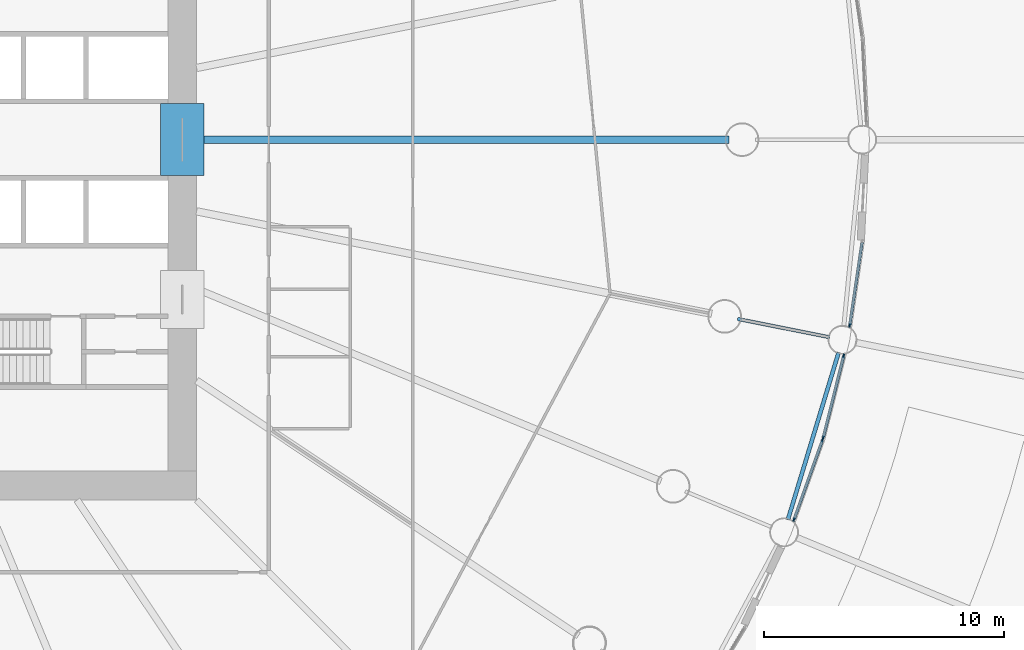
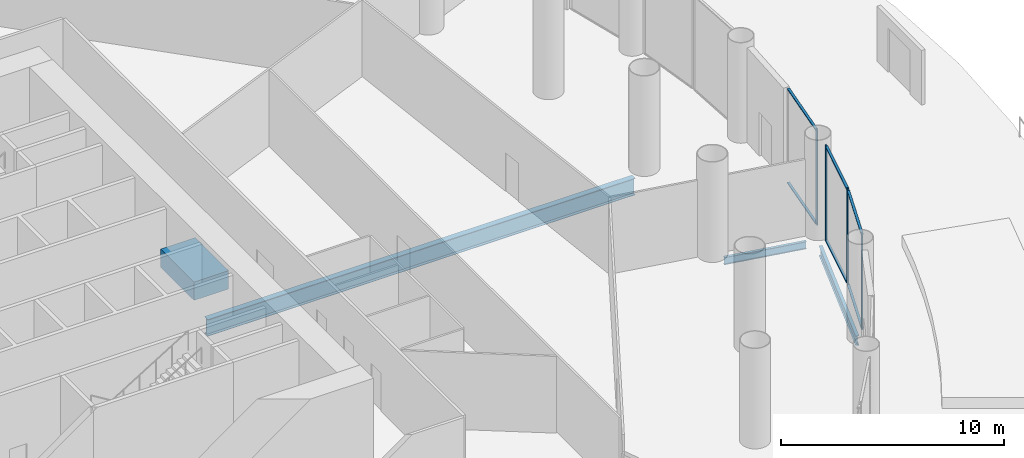
# One storey, part 14 of 36: 11 members, 4 beams, 3 elements without a shape of their own.
"""IFC4 building model written with IfcOpenShell, lengths in metres."""

from ifc_helpers import new_model, si_unit, direction, frame, origin, origin_2d, place, context, subcontext, project, spatial, rectangle, i_section, extrude, material, material_profile, profile_set, type_object, element, aggregate, save


model = new_model("IFC4")

# Units and contexts
model_context = context("Model", 3, precision=1e-05, world=origin(), true_north=direction((0.0, 1.0)))
body_context = subcontext(model_context, "Body", "Model", "MODEL_VIEW")
ifc_project = project(units=[si_unit("LENGTHUNIT", "METRE"), si_unit("AREAUNIT", "SQUARE_METRE"), si_unit("VOLUMEUNIT", "CUBIC_METRE"), si_unit("PLANEANGLEUNIT", "RADIAN"), si_unit("MASSUNIT", "GRAM", prefix="KILO")], contexts=[model_context])

# Site, building, storey
site_placement = place(None, origin())
site = spatial("IfcSite", under=ifc_project, at=site_placement, CompositionType="ELEMENT")
building_placement = place(site_placement, origin())
building = spatial("IfcBuilding", under=site, at=building_placement, Name="Corvane Civic Tower", CompositionType="ELEMENT")
storey_placement = place(building_placement, frame((0.0, 0.0, 6.0)))
storey = spatial("IfcBuildingStorey", under=building, at=storey_placement, Name="L01", CompositionType="ELEMENT", Elevation=6.0)

# Beams
ifc_material_1 = material(Name="Concrete C80/95", Category="concrete")
ifc_material_profile_1 = material_profile(ifc_material_1, rectangle(XDim=1.800048828125, YDim=1.0, at=origin_2d()), Name="COUPLING BEAM 1800X1000")
ifc_profile_set_1 = profile_set([ifc_material_profile_1], Name="Concrete C80/95")
beam_type_1 = type_object("IfcBeamType", Name="COUPLING BEAM COUPLING BEAM 1800X1000", PredefinedType="BEAM", material=ifc_profile_set_1)
beam_1_placement = place(storey_placement, frame((14.39990234375, -1.5, 2.60009765625), z_axis=(0.0, 1.0, 0.0), x_axis=(-1.0, 0.0, 0.0)))
element("IfcBeam", 1, at=beam_1_placement, inside=storey, type_object=beam_type_1, Name="BM-L01-cpl-CW-LE", PredefinedType="BEAM", context=body_context, shape_type="SweptSolid", body=[
    extrude(rectangle(XDim=1.800048828125, YDim=1.0, at=origin_2d()), origin(), (0.0, 0.0, 1.0), 3.0),
])
ifc_material_2 = material(Name="Steel ASTM A992 Gr 50", Category="steel")
ifc_material_profile_2 = material_profile(ifc_material_2, i_section(OverallWidth=0.165771484375, OverallDepth=0.5283203125, WebThickness=0.009765625, FlangeThickness=0.013671875, at=origin_2d()), Name="W21X50")
ifc_profile_set_2 = profile_set([ifc_material_profile_2], Name="Steel ASTM A992 Gr 50")
beam_type_2 = type_object("IfcBeamType", Name="EDGE BEAM W21X50", PredefinedType="BEAM", material=ifc_profile_set_2)
beam_2_placement = place(storey_placement, frame((41.719970703125, -8.856689453125, -0.564208984375), z_axis=(-0.290291633127, -0.956938225664, 0.0), x_axis=(0.956938225664, -0.290291633127, 0.0)))
element("IfcBeam", 2, at=beam_2_placement, inside=storey, type_object=beam_type_2, Name="BM-L01-E10", PredefinedType="BEAM", context=body_context, shape_type="SweptSolid", body=[
    extrude(i_section(OverallWidth=0.165771484375, OverallDepth=0.5283203125, WebThickness=0.009765625, FlangeThickness=0.013671875, at=origin_2d()), origin(), (0.0, 0.0, 1.0), 7.2705078125),
])
ifc_material_3 = material(Name="Steel ASTM A992 Gr 50", Category="steel")
ifc_material_profile_3 = material_profile(ifc_material_3, i_section(OverallWidth=0.140380859375, OverallDepth=0.40380859375, WebThickness=0.007080078125, FlangeThickness=0.01123046875, at=origin_2d()), Name="W16X31")
ifc_profile_set_3 = profile_set([ifc_material_profile_3], Name="Steel ASTM A992 Gr 50")
beam_type_3 = type_object("IfcBeamType", Name="FLOOR GIRDER W16X31", PredefinedType="BEAM", material=ifc_profile_set_3)
beam_3_placement = place(storey_placement, frame((37.51513671875, -7.462158203125, -0.501953125), z_axis=(0.980777614264, -0.195128858343, 0.0), x_axis=(0.195128858343, 0.980777614264, 0.0)))
element("IfcBeam", 3, at=beam_3_placement, inside=storey, type_object=beam_type_3, Name="BM-L01-G10b", PredefinedType="BEAM", context=body_context, shape_type="SweptSolid", body=[
    extrude(i_section(OverallWidth=0.140380859375, OverallDepth=0.40380859375, WebThickness=0.007080078125, FlangeThickness=0.01123046875, at=origin_2d()), origin(), (0.0, 0.0, 1.0), 3.89990234375),
])
ifc_material_4 = material(Name="Steel ASTM A992 Gr 50", Category="steel")
ifc_material_profile_4 = material_profile(ifc_material_4, i_section(OverallWidth=0.3046875, OverallDepth=0.911865234375, WebThickness=0.015869140625, FlangeThickness=0.02392578125, at=origin_2d()), Name="W36X150")
ifc_profile_set_4 = profile_set([ifc_material_profile_4], Name="Steel ASTM A992 Gr 50")
beam_type_4 = type_object("IfcBeamType", Name="FLOOR GIRDER W36X150", PredefinedType="BEAM", material=ifc_profile_set_4)
beam_4_placement = place(storey_placement, frame((15.0, 0.0, -0.755859375), z_axis=(1.0, 0.0, 0.0), x_axis=(0.0, 1.0, 0.0)))
element("IfcBeam", 4, at=beam_4_placement, inside=storey, type_object=beam_type_4, Name="BM-L01-G09", PredefinedType="BEAM", context=body_context, shape_type="SweptSolid", body=[
    extrude(i_section(OverallWidth=0.3046875, OverallDepth=0.911865234375, WebThickness=0.015869140625, FlangeThickness=0.02392578125, at=origin_2d()), origin(), (0.0, 0.0, 1.0), 22.14990234375),
])

# Curtain wall, member
ifc_material_5 = material(Name="Aluminium and glass", Category="aluminium")
curtain_wall_type = type_object("IfcCurtainWallType", Name="PODIUM-CW-P-RUN", PredefinedType="NOTDEFINED", material=ifc_material_5)
curtain_wall_1_placement = place(storey_placement, origin())
curtain_wall_1 = element("IfcCurtainWall", 5, at=curtain_wall_1_placement, inside=storey, type_object=curtain_wall_type, Name="PODI run L01-drum-09B", PredefinedType="NOTDEFINED")
ifc_material_6 = material(Name="Anodised aluminium bronze", Category="aluminium")
ifc_material_profile_5 = material_profile(ifc_material_6, rectangle(XDim=0.06005859375, YDim=0.159912109375, at=origin_2d()), Name="AL 60x160")
ifc_profile_set_5 = profile_set([ifc_material_profile_5], Name="Anodised aluminium bronze")
member_type_1 = type_object("IfcMemberType", Name="PODIUM-CWP-MULLION-60x160", PredefinedType="MULLION", material=ifc_profile_set_5)
member_1_placement = place(storey_placement, frame((42.18017578125, -7.732666015625, 0.0), z_axis=(0.0, 0.0, 1.0), x_axis=(0.989178850608, -0.146714694252, 0.0)))
member_1 = element("IfcMember", 6, at=member_1_placement, type_object=member_type_1, Name="CW-P mullion 2", PredefinedType="MULLION", context=body_context, shape_type="SweptSolid", body=[
    extrude(rectangle(XDim=0.06005859375, YDim=0.159912109375, at=origin_2d()), origin(), (0.0, 0.0, 1.0), 5.199951171875),
])

# Curtain wall, members
curtain_wall_2_placement = place(storey_placement, origin())
curtain_wall_2 = element("IfcCurtainWall", 7, at=curtain_wall_2_placement, inside=storey, type_object=curtain_wall_type, Name="PODI run L01-drum-10A", PredefinedType="NOTDEFINED")
member_2_placement = place(storey_placement, frame((41.9287109375, -8.99755859375, 0.0), z_axis=(0.0, 0.0, 1.0), x_axis=(0.970024070659, -0.243008852393, 0.0)))
member_2 = element("IfcMember", 8, at=member_2_placement, type_object=member_type_1, Name="CW-P mullion 1", PredefinedType="MULLION", context=body_context, shape_type="SweptSolid", body=[
    extrude(rectangle(XDim=0.06005859375, YDim=0.159912109375, at=origin_2d()), origin(), (0.0, 0.0, 1.0), 5.199951171875),
])
member_3_placement = place(storey_placement, frame((41.0732421875, -12.411865234375, 0.0), z_axis=(0.0, 0.0, 1.0), x_axis=(0.970024070659, -0.243008852393, 0.0)))
member_3 = element("IfcMember", 9, at=member_3_placement, type_object=member_type_1, Name="CW-P mullion 2", PredefinedType="MULLION", context=body_context, shape_type="SweptSolid", body=[
    extrude(rectangle(XDim=0.06005859375, YDim=0.159912109375, at=origin_2d()), origin(), (0.0, 0.0, 1.0), 5.199951171875),
])

curtain_wall_3_placement = place(storey_placement, origin())
curtain_wall_3 = element("IfcCurtainWall", 10, at=curtain_wall_3_placement, inside=storey, type_object=curtain_wall_type, Name="PODI run L01-drum-10B", PredefinedType="NOTDEFINED")
member_4_placement = place(storey_placement, frame((41.046875, -12.4990234375, 0.0), z_axis=(0.0, 0.0, 1.0), x_axis=(0.941533802561, -0.336918534123, 0.0)))
member_4 = element("IfcMember", 11, at=member_4_placement, type_object=member_type_1, Name="CW-P mullion 1", PredefinedType="MULLION", context=body_context, shape_type="SweptSolid", body=[
    extrude(rectangle(XDim=0.06005859375, YDim=0.159912109375, at=origin_2d()), origin(), (0.0, 0.0, 1.0), 5.199951171875),
])
member_5_placement = place(storey_placement, frame((39.861083984375, -15.81298828125, 0.0), z_axis=(0.0, 0.0, 1.0), x_axis=(0.941533802561, -0.336918534123, 0.0)))
member_5 = element("IfcMember", 12, at=member_5_placement, type_object=member_type_1, Name="CW-P mullion 2", PredefinedType="MULLION", context=body_context, shape_type="SweptSolid", body=[
    extrude(rectangle(XDim=0.06005859375, YDim=0.159912109375, at=origin_2d()), origin(), (0.0, 0.0, 1.0), 5.199951171875),
])

# Member
ifc_material_7 = material(Name="Anodised aluminium bronze", Category="aluminium")
ifc_material_profile_6 = material_profile(ifc_material_7, rectangle(XDim=0.1201171875, YDim=0.06005859375, at=origin_2d()), Name="AL 120x60")
ifc_profile_set_6 = profile_set([ifc_material_profile_6], Name="Anodised aluminium bronze")
member_type_2 = type_object("IfcMemberType", Name="PODIUM-CWP-TRANSOM-60x120", PredefinedType="USERDEFINED", material=ifc_profile_set_6)
member_6_placement = place(storey_placement, frame((42.692138671875, -4.28076171875, 0.030029296875), z_axis=(-0.146704660039, -0.989180338828, 0.0), x_axis=(0.989180338828, -0.146704660039, 0.0)))
member_6 = element("IfcMember", 13, at=member_6_placement, type_object=member_type_2, Name="CW-P transom 1.1", ObjectType="TRANSOM", PredefinedType="USERDEFINED", context=body_context, shape_type="SweptSolid", body=[
    extrude(rectangle(XDim=0.1201171875, YDim=0.06005859375, at=origin_2d()), origin(), (0.0, 0.0, 1.0), 3.459716796875),
])

member_7_placement = place(storey_placement, frame((42.692138671875, -4.28076171875, 5.169921875), z_axis=(-0.146704660039, -0.989180338828, 0.0), x_axis=(0.989180338828, -0.146704660039, 0.0)))
member_7 = element("IfcMember", 14, at=member_7_placement, type_object=member_type_2, Name="CW-P transom 1.2", ObjectType="TRANSOM", PredefinedType="USERDEFINED", context=body_context, shape_type="SweptSolid", body=[
    extrude(rectangle(XDim=0.1201171875, YDim=0.06005859375, at=origin_2d()), origin(), (0.0, 0.0, 1.0), 3.459716796875),
])

aggregate(curtain_wall_1, [member_1, member_6, member_7])

member_8_placement = place(storey_placement, frame((41.92138671875, -9.026611328125, 0.030029296875), z_axis=(-0.243017080124, -0.970022009425, 0.0), x_axis=(0.970022009425, -0.243017080124, 0.0)))
member_8 = element("IfcMember", 15, at=member_8_placement, type_object=member_type_2, Name="CW-P transom 1.1", ObjectType="TRANSOM", PredefinedType="USERDEFINED", context=body_context, shape_type="SweptSolid", body=[
    extrude(rectangle(XDim=0.1201171875, YDim=0.06005859375, at=origin_2d()), origin(), (0.0, 0.0, 1.0), 3.4599609375),
])

member_9_placement = place(storey_placement, frame((41.92138671875, -9.026611328125, 5.169921875), z_axis=(-0.243017080124, -0.970022009425, 0.0), x_axis=(0.970022009425, -0.243017080124, 0.0)))
member_9 = element("IfcMember", 16, at=member_9_placement, type_object=member_type_2, Name="CW-P transom 1.2", ObjectType="TRANSOM", PredefinedType="USERDEFINED", context=body_context, shape_type="SweptSolid", body=[
    extrude(rectangle(XDim=0.1201171875, YDim=0.06005859375, at=origin_2d()), origin(), (0.0, 0.0, 1.0), 3.4599609375),
])

aggregate(curtain_wall_2, [member_2, member_3, member_8, member_9])

member_10_placement = place(storey_placement, frame((41.036865234375, -12.527099609375, 0.030029296875), z_axis=(-0.336939787896, -0.941526196838, 0.0), x_axis=(0.941526196838, -0.336939787896, 0.0)))
member_10 = element("IfcMember", 17, at=member_10_placement, type_object=member_type_2, Name="CW-P transom 1.1", ObjectType="TRANSOM", PredefinedType="USERDEFINED", context=body_context, shape_type="SweptSolid", body=[
    extrude(rectangle(XDim=0.1201171875, YDim=0.06005859375, at=origin_2d()), origin(), (0.0, 0.0, 1.0), 3.4599609375),
])

member_11_placement = place(storey_placement, frame((41.036865234375, -12.527099609375, 5.169921875), z_axis=(-0.336939787896, -0.941526196838, 0.0), x_axis=(0.941526196838, -0.336939787896, 0.0)))
member_11 = element("IfcMember", 18, at=member_11_placement, type_object=member_type_2, Name="CW-P transom 1.2", ObjectType="TRANSOM", PredefinedType="USERDEFINED", context=body_context, shape_type="SweptSolid", body=[
    extrude(rectangle(XDim=0.1201171875, YDim=0.06005859375, at=origin_2d()), origin(), (0.0, 0.0, 1.0), 3.4599609375),
])

aggregate(curtain_wall_3, [member_4, member_5, member_10, member_11])

save(model, "model.ifc")
